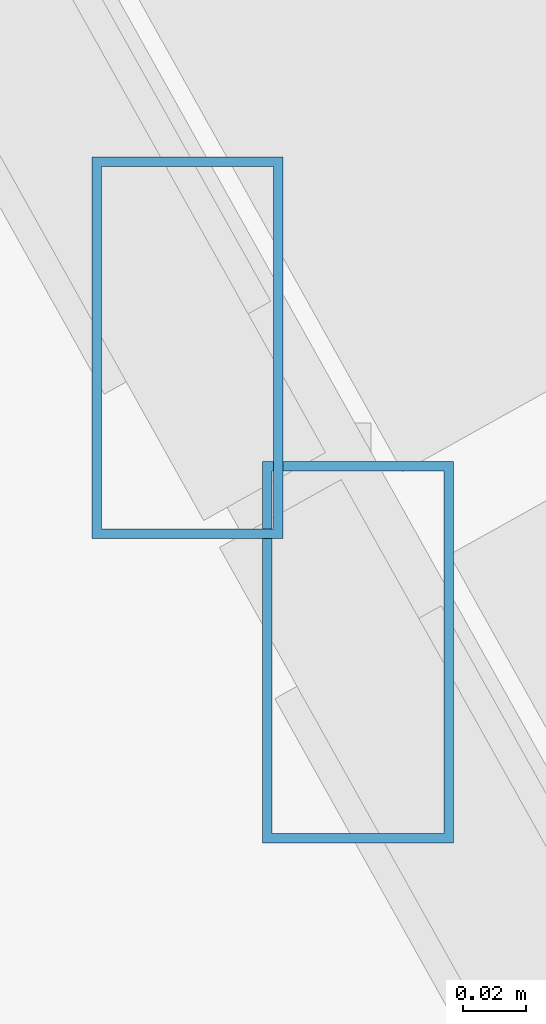
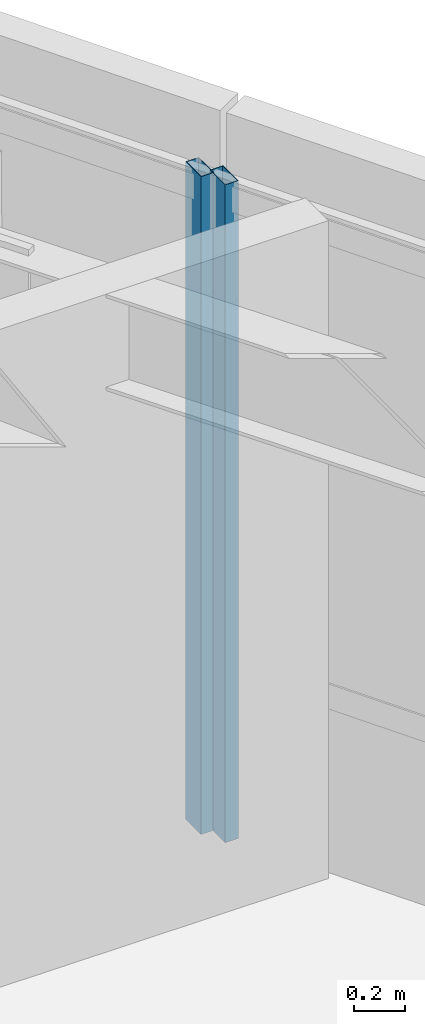
# One storey, part 30 of 47: 2 members, 2 elements without a shape of their own.
"""IFC4 building model written with IfcOpenShell, lengths in metres."""

from ifc_helpers import new_model, si_unit, direction, frame, origin, origin_2d, place, context, subcontext, project, spatial, hollow_rectangle, extrude, source, transform, mapped, material, material_profile, profile_set, type_object, type_shapes, element, aggregate, save


model = new_model("IFC4")

# Units and contexts
model_context = context("Model", 3, precision=1e-05, world=origin(), true_north=direction((0.0, 1.0)))
body_context = subcontext(model_context, "Body", "Model", "MODEL_VIEW")
ifc_project = project(units=[si_unit("LENGTHUNIT", "METRE"), si_unit("AREAUNIT", "SQUARE_METRE"), si_unit("VOLUMEUNIT", "CUBIC_METRE"), si_unit("PLANEANGLEUNIT", "RADIAN"), si_unit("MASSUNIT", "GRAM", prefix="KILO")], contexts=[model_context])

# Site, building, storey
site_placement = place(None, origin())
site = spatial("IfcSite", under=ifc_project, at=site_placement, CompositionType="ELEMENT")
building_placement = place(site_placement, origin())
building = spatial("IfcBuilding", under=site, at=building_placement, Name="Caelisora Broadcast Tower", CompositionType="ELEMENT")
storey_placement = place(building_placement, frame((0.0, 0.0, 293.199951171875)))
storey = spatial("IfcBuildingStorey", under=building, at=storey_placement, Name="L77", CompositionType="ELEMENT", Elevation=293.199951171875)

# Curtain wall, member
ifc_material_1 = material(Name="Unitised Aluminium Insulated Shadow-Box Spandrel Curtain Wall", Category="aluminium")
curtain_wall_type = type_object("IfcCurtainWallType", Name="CW-SP3", PredefinedType="NOTDEFINED", material=ifc_material_1)
curtain_wall_1_placement = place(storey_placement, origin())
curtain_wall_1 = element("IfcCurtainWall", 1, at=curtain_wall_1_placement, inside=storey, type_object=curtain_wall_type, Name="L77 curtain wall CW-SP3", PredefinedType="NOTDEFINED")
ifc_material_2 = material(Name="Aluminium 6063-T6 Anodised Terracotta Bronze", Category="aluminium")
ifc_material_profile = material_profile(ifc_material_2, hollow_rectangle(XDim=0.06005859375, YDim=0.1201171875, WallThickness=0.0029296875, at=origin_2d()), Name="Aluminium 6063-T6 Anodised Terracotta Bronze")
ifc_profile_set = profile_set([ifc_material_profile], Name="Aluminium 6063-T6 Anodised Terracotta Bronze")
member_type = type_object("IfcMemberType", Name="CWM-04", PredefinedType="MULLION", material=ifc_profile_set)
shared_shape = source(origin(), body_context, "Body", "SweptSolid", [
    extrude(hollow_rectangle(XDim=0.06005859375, YDim=0.1201171875, WallThickness=0.0029296875, at=origin_2d()), origin(), (0.0, 0.0, 1.0), 3.150146484375),
])
type_shapes(member_type, [shared_shape])
member_1_placement = place(storey_placement, frame((54.137451171875, 25.47998046875, 0.0), z_axis=(0.0, 0.0, 1.0), x_axis=(1.0, 0.0, 0.0)))
member_1 = element("IfcMember", 2, at=member_1_placement, type_object=member_type, Name="L77-CW-B02 mullion #3", PredefinedType="MULLION", context=body_context, shape_type="MappedRepresentation", body=[
    mapped(shared_shape, transform((0.0, 0.0, 0.0), scale=1.0)),
])
aggregate(curtain_wall_1, [member_1])

curtain_wall_2_placement = place(storey_placement, origin())
curtain_wall_2 = element("IfcCurtainWall", 3, at=curtain_wall_2_placement, inside=storey, type_object=curtain_wall_type, Name="L77 curtain wall CW-SP3", PredefinedType="NOTDEFINED")
member_2_placement = place(storey_placement, frame((54.191162109375, 25.384033203125, 0.0), z_axis=(0.0, 0.0, 1.0), x_axis=(1.0, 0.0, 0.0)))
member_2 = element("IfcMember", 4, at=member_2_placement, type_object=member_type, Name="L77-CW-B03 mullion #0", PredefinedType="MULLION", context=body_context, shape_type="MappedRepresentation", body=[
    mapped(shared_shape, transform((0.0, 0.0, 0.0), scale=1.0)),
])
aggregate(curtain_wall_2, [member_2])

save(model, "model.ifc")
